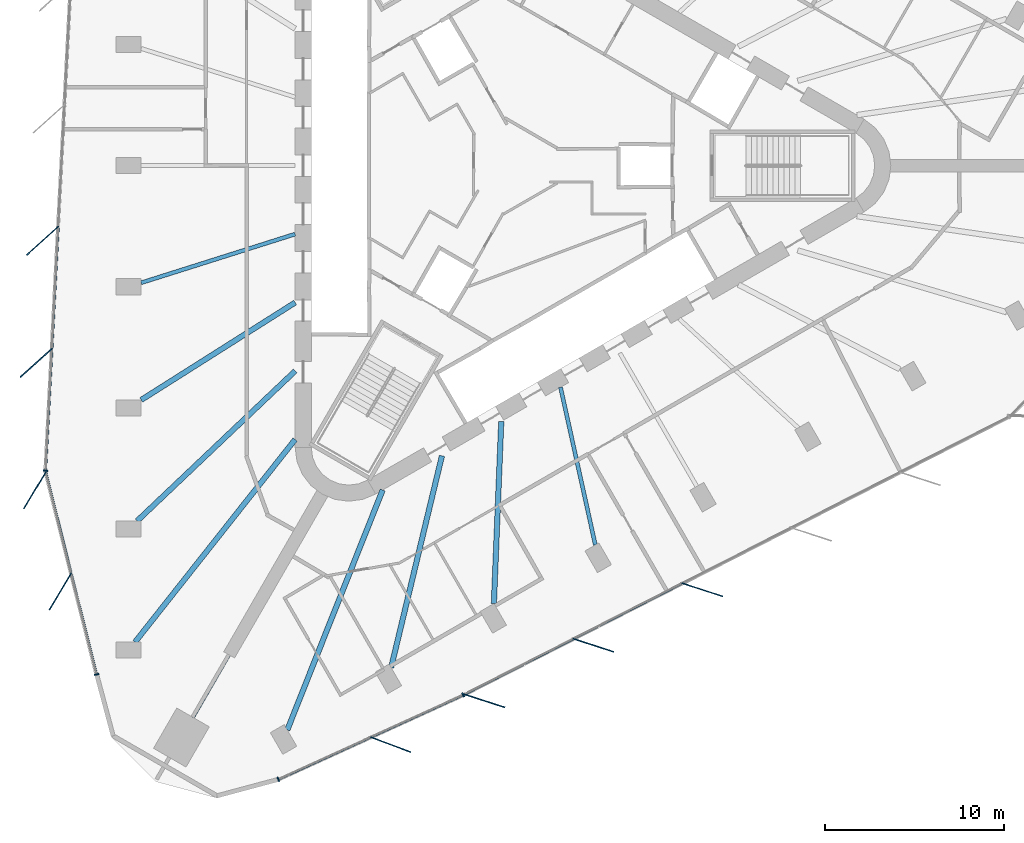
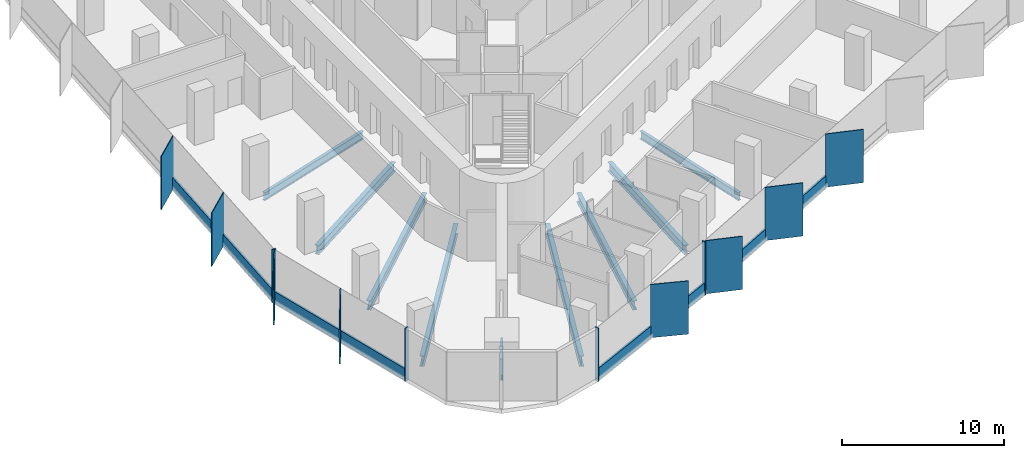
# One storey, part 2 of 14: 20 members, 9 beams, 4 elements without a shape of their own.
"""IFC4 building model written with IfcOpenShell, lengths in metres."""

from ifc_helpers import new_model, si_unit, direction, frame, origin, origin_2d, place, context, subcontext, project, spatial, rectangle, i_section, extrude, material, material_profile, profile_set, type_object, element, aggregate, save


model = new_model("IFC4")

# Units and contexts
model_context = context("Model", 3, precision=1e-05, world=origin(), true_north=direction((0.0, 1.0)))
body_context = subcontext(model_context, "Body", "Model", "MODEL_VIEW")
ifc_project = project(units=[si_unit("LENGTHUNIT", "METRE"), si_unit("AREAUNIT", "SQUARE_METRE"), si_unit("VOLUMEUNIT", "CUBIC_METRE"), si_unit("PLANEANGLEUNIT", "RADIAN"), si_unit("MASSUNIT", "GRAM", prefix="KILO")], contexts=[model_context])

# Site, building, storey
site_placement = place(None, origin())
site = spatial("IfcSite", under=ifc_project, at=site_placement, CompositionType="ELEMENT")
building_placement = place(site_placement, origin())
building = spatial("IfcBuilding", under=site, at=building_placement, Name="Tanit Gate Tower", CompositionType="ELEMENT")
storey_placement = place(building_placement, frame((0.0, 0.0, 261.199951171875)))
storey = spatial("IfcBuildingStorey", under=building, at=storey_placement, Name="L59", CompositionType="ELEMENT", Elevation=261.199951171875)

# Curtain wall, members
ifc_material_1 = material(Name="Aluminium bronze anodised and glass", Category="aluminium")
curtain_wall_type = type_object("IfcCurtainWallType", Name="Curtain wall typical mid", PredefinedType="NOTDEFINED", material=ifc_material_1)
curtain_wall_1_placement = place(storey_placement, origin())
curtain_wall_1 = element("IfcCurtainWall", 1, at=curtain_wall_1_placement, inside=storey, type_object=curtain_wall_type, Name="Curtain wall L59 W2", PredefinedType="NOTDEFINED")
ifc_material_2 = material(Name="Aluminium bronze anodised", Category="aluminium")
ifc_material_profile_1 = material_profile(ifc_material_2, rectangle(XDim=2.39990234375, YDim=0.055908203125, at=origin_2d()), Name="56x2400 bronze fin mullion")
ifc_profile_set_1 = profile_set([ifc_material_profile_1], Name="Aluminium bronze anodised")
member_type_1 = type_object("IfcMemberType", Name="FIN MULLION 56x2400 bronze", PredefinedType="MULLION", material=ifc_profile_set_1)
member_1_placement = place(storey_placement, frame((-26.218994140625, -4.199462890625, -0.300048828125), z_axis=(0.0, 0.0, 1.0), x_axis=(0.742829073656, 0.66948111798, 0.0)))
member_1 = element("IfcMember", 2, at=member_1_placement, type_object=member_type_1, Name="Fin mullion L59 W2.4", PredefinedType="MULLION", context=body_context, shape_type="SweptSolid", body=[
    extrude(rectangle(XDim=2.39990234375, YDim=0.055908203125, at=origin_2d()), origin(), (0.0, 0.0, 1.0), 4.0),
])
member_2_placement = place(storey_placement, frame((-26.573486328125, -11.022705078125, -0.300048828125), z_axis=(0.0, 0.0, 1.0), x_axis=(0.742829073656, 0.66948111798, 0.0)))
member_2 = element("IfcMember", 3, at=member_2_placement, type_object=member_type_1, Name="Fin mullion L59 W2.5", PredefinedType="MULLION", context=body_context, shape_type="SweptSolid", body=[
    extrude(rectangle(XDim=2.39990234375, YDim=0.055908203125, at=origin_2d()), origin(), (0.0, 0.0, 1.0), 4.0),
])

curtain_wall_2_placement = place(storey_placement, origin())
curtain_wall_2 = element("IfcCurtainWall", 4, at=curtain_wall_2_placement, inside=storey, type_object=curtain_wall_type, Name="Curtain wall L59 W3", PredefinedType="NOTDEFINED")
member_3_placement = place(storey_placement, frame((-26.649658203125, -18.147216796875, -0.300048828125), z_axis=(0.0, 0.0, 1.0), x_axis=(0.513349374266, 0.858179713079, 0.0)))
member_3 = element("IfcMember", 5, at=member_3_placement, type_object=member_type_1, Name="Fin mullion L59 W3.1", PredefinedType="MULLION", context=body_context, shape_type="SweptSolid", body=[
    extrude(rectangle(XDim=2.39990234375, YDim=0.055908203125, at=origin_2d()), origin(), (0.0, 0.0, 1.0), 4.0),
])
member_4_placement = place(storey_placement, frame((-25.227783203125, -23.802001953125, -0.300048828125), z_axis=(0.0, 0.0, 1.0), x_axis=(0.513349374266, 0.858179713079, 0.0)))
member_4 = element("IfcMember", 6, at=member_4_placement, type_object=member_type_1, Name="Fin mullion L59 W3.2", PredefinedType="MULLION", context=body_context, shape_type="SweptSolid", body=[
    extrude(rectangle(XDim=2.39990234375, YDim=0.055908203125, at=origin_2d()), origin(), (0.0, 0.0, 1.0), 4.0),
])

# Curtain wall, member
curtain_wall_3_placement = place(storey_placement, origin())
curtain_wall_3 = element("IfcCurtainWall", 7, at=curtain_wall_3_placement, inside=storey, type_object=curtain_wall_type, Name="Curtain wall L59 SE1", PredefinedType="NOTDEFINED")
member_5_placement = place(storey_placement, frame((-6.77099609375, -32.364013671875, -0.300048828125), z_axis=(0.0, 0.0, 1.0), x_axis=(-0.936905482973, 0.34958277414, 0.0)))
member_5 = element("IfcMember", 8, at=member_5_placement, type_object=member_type_1, Name="Fin mullion L59 SE1.2", PredefinedType="MULLION", context=body_context, shape_type="SweptSolid", body=[
    extrude(rectangle(XDim=2.39990234375, YDim=0.055908203125, at=origin_2d()), origin(), (0.0, 0.0, 1.0), 4.0),
])

# Curtain wall, members
curtain_wall_4_placement = place(storey_placement, origin())
curtain_wall_4 = element("IfcCurtainWall", 9, at=curtain_wall_4_placement, inside=storey, type_object=curtain_wall_type, Name="Curtain wall L59 SE2", PredefinedType="NOTDEFINED")
member_6_placement = place(storey_placement, frame((-1.5126953125, -29.9208984375, -0.300048828125), z_axis=(0.0, 0.0, 1.0), x_axis=(-0.951202192353, 0.308568289465, 0.0)))
member_6 = element("IfcMember", 10, at=member_6_placement, type_object=member_type_1, Name="Fin mullion L59 SE2.1", PredefinedType="MULLION", context=body_context, shape_type="SweptSolid", body=[
    extrude(rectangle(XDim=2.39990234375, YDim=0.055908203125, at=origin_2d()), origin(), (0.0, 0.0, 1.0), 4.0),
])
member_7_placement = place(storey_placement, frame((4.573486328125, -26.816162109375, -0.300048828125), z_axis=(0.0, 0.0, 1.0), x_axis=(-0.951202192353, 0.308568289465, 0.0)))
member_7 = element("IfcMember", 11, at=member_7_placement, type_object=member_type_1, Name="Fin mullion L59 SE2.2", PredefinedType="MULLION", context=body_context, shape_type="SweptSolid", body=[
    extrude(rectangle(XDim=2.39990234375, YDim=0.055908203125, at=origin_2d()), origin(), (0.0, 0.0, 1.0), 4.0),
])
member_8_placement = place(storey_placement, frame((10.659912109375, -23.71142578125, -0.300048828125), z_axis=(0.0, 0.0, 1.0), x_axis=(-0.951202192353, 0.308568289465, 0.0)))
member_8 = element("IfcMember", 12, at=member_8_placement, type_object=member_type_1, Name="Fin mullion L59 SE2.3", PredefinedType="MULLION", context=body_context, shape_type="SweptSolid", body=[
    extrude(rectangle(XDim=2.39990234375, YDim=0.055908203125, at=origin_2d()), origin(), (0.0, 0.0, 1.0), 4.0),
])

# Member
ifc_material_3 = material(Name="Aluminium bronze anodised", Category="aluminium")
ifc_material_profile_2 = material_profile(ifc_material_3, rectangle(XDim=0.260009765625, YDim=0.080078125, at=origin_2d()), Name="80x260 bronze mullion")
ifc_profile_set_2 = profile_set([ifc_material_profile_2], Name="Aluminium bronze anodised")
member_type_2 = type_object("IfcMemberType", Name="Mullion 80x260 typical mid", PredefinedType="MULLION", material=ifc_profile_set_2)
member_9_placement = place(storey_placement, frame((-26.052001953125, -17.056884765625, -0.300048828125), z_axis=(0.0, 0.0, 1.0), x_axis=(0.998654113645, -0.051864836844, 0.0)))
member_9 = element("IfcMember", 13, at=member_9_placement, type_object=member_type_2, Name="Mullion L59 W2.6", PredefinedType="MULLION", context=body_context, shape_type="SweptSolid", body=[
    extrude(rectangle(XDim=0.260009765625, YDim=0.080078125, at=origin_2d()), origin(), (0.0, 0.0, 1.0), 4.0),
])

member_10_placement = place(storey_placement, frame((-23.200927734375, -28.4453125, -0.300048828125), z_axis=(0.0, 0.0, 1.0), x_axis=(0.969817518256, 0.243831870934, 0.0)))
member_10 = element("IfcMember", 14, at=member_10_placement, type_object=member_type_2, Name="Mullion L59 W3.3", PredefinedType="MULLION", context=body_context, shape_type="SweptSolid", body=[
    extrude(rectangle(XDim=0.260009765625, YDim=0.080078125, at=origin_2d()), origin(), (0.0, 0.0, 1.0), 4.0),
])

member_11_placement = place(storey_placement, frame((-13.044677734375, -34.31201171875, -0.300048828125), z_axis=(0.0, 0.0, 1.0), x_axis=(-0.41529987016, 0.909684570522, 0.0)))
member_11 = element("IfcMember", 15, at=member_11_placement, type_object=member_type_2, Name="Mullion L59 SE1.1", PredefinedType="MULLION", context=body_context, shape_type="SweptSolid", body=[
    extrude(rectangle(XDim=0.260009765625, YDim=0.080078125, at=origin_2d()), origin(), (0.0, 0.0, 1.0), 4.0),
])

member_12_placement = place(storey_placement, frame((-2.7060546875, -29.592041015625, -0.300048828125), z_axis=(0.0, 0.0, 1.0), x_axis=(-0.41529987016, 0.909684570522, 0.0)))
member_12 = element("IfcMember", 16, at=member_12_placement, type_object=member_type_2, Name="Mullion L59 SE1.3", PredefinedType="MULLION", context=body_context, shape_type="SweptSolid", body=[
    extrude(rectangle(XDim=0.260009765625, YDim=0.080078125, at=origin_2d()), origin(), (0.0, 0.0, 1.0), 4.0),
])

# Beams
ifc_material_4 = material(Name="Steel S355", Category="steel")
ifc_material_profile_3 = material_profile(ifc_material_4, i_section(OverallWidth=0.300048828125, OverallDepth=0.68994140625, WebThickness=0.014404296875, FlangeThickness=0.027099609375, FilletRadius=0.027099609375, at=origin_2d()), Name="HEA 700")
ifc_profile_set_3 = profile_set([ifc_material_profile_3], Name="Steel S355")
beam_type_1 = type_object("IfcBeamType", Name="RADIAL GIRDER HEA 700 S355", PredefinedType="BEAM", material=ifc_profile_set_3)
beam_1_placement = place(storey_placement, frame((-20.707275390625, -13.09912109375, -0.64501953125), z_axis=(0.845101827665, 0.534605369293, 0.0), x_axis=(-0.534605369293, 0.845101827665, 0.0)))
element("IfcBeam", 17, at=beam_1_placement, inside=storey, type_object=beam_type_1, Name="RADIAL GIRDER", PredefinedType="BEAM", context=body_context, shape_type="SweptSolid", body=[
    extrude(i_section(OverallWidth=0.300048828125, OverallDepth=0.68994140625, WebThickness=0.014404296875, FlangeThickness=0.027099609375, FilletRadius=0.027099609375, at=origin_2d()), origin(), (0.0, 0.0, 1.0), 10.182373046875),
])
for number, where, z_axis, x_axis, name in (
    (18, (-20.93310546875, -19.86279296875, -0.64501953125), (0.725413886333, 0.688312932841, 0.0), (-0.688312932841, 0.725413886333, 0.0), "RADIAL GIRDER"),
    (19, (-6.7353515625, -28.06005859375, -0.64501953125), (0.233413152093, 0.972377653194, 0.0), (-0.972377653194, 0.233413152093, 0.0), "RADIAL GIRDER"),
):
    element("IfcBeam", number, at=place(storey_placement, frame(where, z_axis=z_axis, x_axis=x_axis)), inside=storey, type_object=beam_type_1, Name=name, PredefinedType="BEAM", context=body_context, shape_type="SweptSolid", body=[
        extrude(i_section(OverallWidth=0.300048828125, OverallDepth=0.68994140625, WebThickness=0.014404296875, FlangeThickness=0.027099609375, FilletRadius=0.027099609375, at=origin_2d()), origin(), (0.0, 0.0, 1.0), 12.173828125),
    ])
beam_2_placement = place(storey_placement, frame((-0.990478515625, -24.482666015625, -0.64501953125), z_axis=(0.040423811094, 0.999182623696, 0.0), x_axis=(-0.999182623696, 0.040423811094, 0.0)))
element("IfcBeam", 20, at=beam_2_placement, inside=storey, type_object=beam_type_1, Name="RADIAL GIRDER", PredefinedType="BEAM", context=body_context, shape_type="SweptSolid", body=[
    extrude(i_section(OverallWidth=0.300048828125, OverallDepth=0.68994140625, WebThickness=0.014404296875, FlangeThickness=0.027099609375, FilletRadius=0.027099609375, at=origin_2d()), origin(), (0.0, 0.0, 1.0), 10.1826171875),
])
ifc_material_5 = material(Name="Steel S355", Category="steel")
ifc_material_profile_4 = material_profile(ifc_material_5, i_section(OverallWidth=0.300048828125, OverallDepth=0.7900390625, WebThickness=0.014892578125, FlangeThickness=0.028076171875, FilletRadius=0.030029296875, at=origin_2d()), Name="HEA 800")
ifc_profile_set_4 = profile_set([ifc_material_profile_4], Name="Steel S355")
beam_type_2 = type_object("IfcBeamType", Name="RADIAL GIRDER HEA 800 S355", PredefinedType="BEAM", material=ifc_profile_set_4)
beam_3_placement = place(storey_placement, frame((-21.051513671875, -26.6337890625, -0.695068359375), z_axis=(0.6200900957, 0.784530606933, 0.0), x_axis=(-0.784530606933, 0.6200900957, 0.0)))
element("IfcBeam", 21, at=beam_3_placement, inside=storey, type_object=beam_type_2, Name="RADIAL GIRDER", PredefinedType="BEAM", context=body_context, shape_type="SweptSolid", body=[
    extrude(i_section(OverallWidth=0.300048828125, OverallDepth=0.7900390625, WebThickness=0.014892578125, FlangeThickness=0.028076171875, FilletRadius=0.030029296875, at=origin_2d()), origin(), (0.0, 0.0, 1.0), 14.4326171875),
])
beam_4_placement = place(storey_placement, frame((-12.539794921875, -31.54833984375, -0.695068359375), z_axis=(0.369365772783, 0.929284093212, 0.0), x_axis=(-0.929284093212, 0.369365772783, 0.0)))
element("IfcBeam", 22, at=beam_4_placement, inside=storey, type_object=beam_type_2, Name="RADIAL GIRDER", PredefinedType="BEAM", context=body_context, shape_type="SweptSolid", body=[
    extrude(i_section(OverallWidth=0.300048828125, OverallDepth=0.7900390625, WebThickness=0.014892578125, FlangeThickness=0.028076171875, FilletRadius=0.030029296875, at=origin_2d()), origin(), (0.0, 0.0, 1.0), 14.43310546875),
])
ifc_material_6 = material(Name="Steel S355", Category="steel")
ifc_material_profile_5 = material_profile(ifc_material_6, i_section(OverallWidth=0.179931640625, OverallDepth=0.39990234375, WebThickness=0.008544921875, FlangeThickness=0.013427734375, FilletRadius=0.02099609375, at=origin_2d()), Name="IPE 400")
ifc_profile_set_5 = profile_set([ifc_material_profile_5], Name="Steel S355")
beam_type_3 = type_object("IfcBeamType", Name="RADIAL GIRDER IPE 400 S355", PredefinedType="BEAM", material=ifc_profile_set_5)
beam_5_placement = place(storey_placement, frame((-17.81005859375, -30.847900390625, -0.5), z_axis=(0.500008591458, 0.866020443447, 0.0), x_axis=(-0.866020443447, 0.500008591458, 0.0)))
element("IfcBeam", 23, at=beam_5_placement, inside=storey, type_object=beam_type_3, Name="RADIAL GIRDER", PredefinedType="BEAM", context=body_context, shape_type="SweptSolid", body=[
    extrude(i_section(OverallWidth=0.179931640625, OverallDepth=0.39990234375, WebThickness=0.008544921875, FlangeThickness=0.013427734375, FilletRadius=0.02099609375, at=origin_2d()), origin(), (0.0, 0.0, 1.0), 4.03759765625),
])
ifc_material_7 = material(Name="Steel S355", Category="steel")
ifc_material_profile_6 = material_profile(ifc_material_7, i_section(OverallWidth=0.219970703125, OverallDepth=0.60009765625, WebThickness=0.011962890625, FlangeThickness=0.01904296875, FilletRadius=0.02392578125, at=origin_2d()), Name="IPE 600")
ifc_profile_set_6 = profile_set([ifc_material_profile_6], Name="Steel S355")
beam_type_4 = type_object("IfcBeamType", Name="RADIAL GIRDER IPE 600 S355", PredefinedType="BEAM", material=ifc_profile_set_6)
beam_6_placement = place(storey_placement, frame((-20.707275390625, -6.549560546875, -0.599853515625), z_axis=(0.953447657806, 0.301558557869, 0.0), x_axis=(-0.301558557869, 0.953447657806, 0.0)))
element("IfcBeam", 24, at=beam_6_placement, inside=storey, type_object=beam_type_4, Name="RADIAL GIRDER", PredefinedType="BEAM", context=body_context, shape_type="SweptSolid", body=[
    extrude(i_section(OverallWidth=0.219970703125, OverallDepth=0.60009765625, WebThickness=0.011962890625, FlangeThickness=0.01904296875, FilletRadius=0.02392578125, at=origin_2d()), origin(), (0.0, 0.0, 1.0), 9.025390625),
])
beam_7_placement = place(storey_placement, frame((4.681396484375, -21.2080078125, -0.599853515625), z_axis=(-0.215532558001, 0.976496654598, 0.0), x_axis=(-0.976496654598, -0.215532558001, 0.0)))
element("IfcBeam", 25, at=beam_7_placement, inside=storey, type_object=beam_type_4, Name="RADIAL GIRDER", PredefinedType="BEAM", context=body_context, shape_type="SweptSolid", body=[
    extrude(i_section(OverallWidth=0.219970703125, OverallDepth=0.60009765625, WebThickness=0.011962890625, FlangeThickness=0.01904296875, FilletRadius=0.02392578125, at=origin_2d()), origin(), (0.0, 0.0, 1.0), 9.025634765625),
])

# Member
ifc_material_8 = material(Name="Aluminium bronze anodised", Category="aluminium")
ifc_material_profile_7 = material_profile(ifc_material_8, rectangle(XDim=0.139892578125, YDim=0.89990234375, at=origin_2d()), Name="140x900 bronze transom")
ifc_profile_set_7 = profile_set([ifc_material_profile_7], Name="Aluminium bronze anodised")
member_type_3 = type_object("IfcMemberType", Name="Transom 140x900 typical mid", PredefinedType="USERDEFINED", material=ifc_profile_set_7)
member_13_placement = place(storey_placement, frame((-25.345458984375, -3.4501953125, 0.150146484375), z_axis=(-0.051847192816, -0.998655029826, 0.0), x_axis=(0.998655029826, -0.051847192816, 0.0)))
member_13 = element("IfcMember", 26, at=member_13_placement, type_object=member_type_3, Name="Transom L59 W2.4", ObjectType="TRANSOM", PredefinedType="USERDEFINED", context=body_context, shape_type="SweptSolid", body=[
    extrude(rectangle(XDim=0.139892578125, YDim=0.89990234375, at=origin_2d()), origin(), (0.0, 0.0, 1.0), 6.75244140625),
])

member_14_placement = place(storey_placement, frame((-25.69970703125, -10.2734375, 0.150146484375), z_axis=(-0.051883251167, -0.998653157131, 0.0), x_axis=(0.998653157131, -0.051883251167, 0.0)))
member_14 = element("IfcMember", 27, at=member_14_placement, type_object=member_type_3, Name="Transom L59 W2.5", ObjectType="TRANSOM", PredefinedType="USERDEFINED", context=body_context, shape_type="SweptSolid", body=[
    extrude(rectangle(XDim=0.139892578125, YDim=0.89990234375, at=origin_2d()), origin(), (0.0, 0.0, 1.0), 6.75244140625),
])

aggregate(curtain_wall_1, [member_1, member_2, member_9, member_13, member_14])

member_15_placement = place(storey_placement, frame((-26.03466796875, -17.17431640625, 0.150146484375), z_axis=(0.243814032704, -0.969822002976, 0.0), x_axis=(0.969822002976, 0.243814032704, 0.0)))
member_15 = element("IfcMember", 28, at=member_15_placement, type_object=member_type_3, Name="Transom L59 W3.1", ObjectType="TRANSOM", PredefinedType="USERDEFINED", context=body_context, shape_type="SweptSolid", body=[
    extrude(rectangle(XDim=0.139892578125, YDim=0.89990234375, at=origin_2d()), origin(), (0.0, 0.0, 1.0), 5.750732421875),
])

member_16_placement = place(storey_placement, frame((-24.613037109375, -22.8291015625, 0.150146484375), z_axis=(0.243843922933, -0.969814488059, 0.0), x_axis=(0.969814488059, 0.243843922933, 0.0)))
member_16 = element("IfcMember", 29, at=member_16_placement, type_object=member_type_3, Name="Transom L59 W3.2", ObjectType="TRANSOM", PredefinedType="USERDEFINED", context=body_context, shape_type="SweptSolid", body=[
    extrude(rectangle(XDim=0.139892578125, YDim=0.89990234375, at=origin_2d()), origin(), (0.0, 0.0, 1.0), 5.7509765625),
])

aggregate(curtain_wall_2, [member_3, member_4, member_10, member_15, member_16])

member_17_placement = place(storey_placement, frame((-13.00830078125, -34.29541015625, 0.150146484375), z_axis=(0.909669750751, 0.415332330271, 0.0), x_axis=(-0.415332330271, 0.909669750751, 0.0)))
member_17 = element("IfcMember", 30, at=member_17_placement, type_object=member_type_3, Name="Transom L59 SE1.1", ObjectType="TRANSOM", PredefinedType="USERDEFINED", context=body_context, shape_type="SweptSolid", body=[
    extrude(rectangle(XDim=0.139892578125, YDim=0.89990234375, at=origin_2d()), origin(), (0.0, 0.0, 1.0), 5.6025390625),
])

member_18_placement = place(storey_placement, frame((-7.839111328125, -31.935302734375, 0.150146484375), z_axis=(0.909693729844, 0.415279806736, 0.0), x_axis=(-0.415279806736, 0.909693729844, 0.0)))
member_18 = element("IfcMember", 31, at=member_18_placement, type_object=member_type_3, Name="Transom L59 SE1.2", ObjectType="TRANSOM", PredefinedType="USERDEFINED", context=body_context, shape_type="SweptSolid", body=[
    extrude(rectangle(XDim=0.139892578125, YDim=0.89990234375, at=origin_2d()), origin(), (0.0, 0.0, 1.0), 5.6025390625),
])

aggregate(curtain_wall_3, [member_11, member_5, member_12, member_17, member_18])

member_19_placement = place(storey_placement, frame((-2.598388671875, -29.5390625, 0.150146484375), z_axis=(0.890797114377, 0.45440125552, 0.0), x_axis=(-0.45440125552, 0.890797114377, 0.0)))
member_19 = element("IfcMember", 32, at=member_19_placement, type_object=member_type_3, Name="Transom L59 SE2.1", ObjectType="TRANSOM", PredefinedType="USERDEFINED", context=body_context, shape_type="SweptSolid", body=[
    extrude(rectangle(XDim=0.139892578125, YDim=0.89990234375, at=origin_2d()), origin(), (0.0, 0.0, 1.0), 6.75244140625),
])

member_20_placement = place(storey_placement, frame((3.488037109375, -26.434326171875, 0.150146484375), z_axis=(0.890789648628, 0.454415890894, 0.0), x_axis=(-0.454415890894, 0.890789648628, 0.0)))
member_20 = element("IfcMember", 33, at=member_20_placement, type_object=member_type_3, Name="Transom L59 SE2.2", ObjectType="TRANSOM", PredefinedType="USERDEFINED", context=body_context, shape_type="SweptSolid", body=[
    extrude(rectangle(XDim=0.139892578125, YDim=0.89990234375, at=origin_2d()), origin(), (0.0, 0.0, 1.0), 6.752197265625),
])

aggregate(curtain_wall_4, [member_6, member_7, member_8, member_19, member_20])

save(model, "model.ifc")
